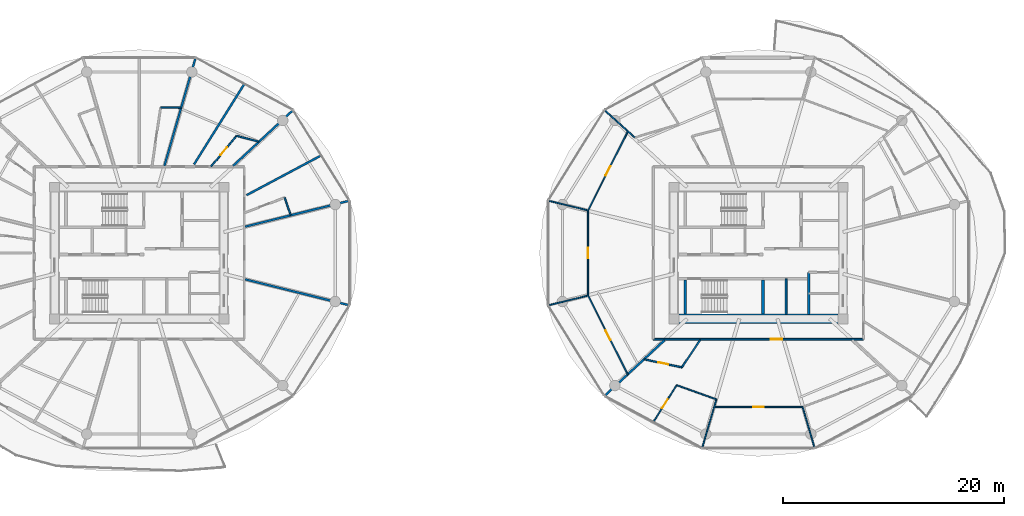
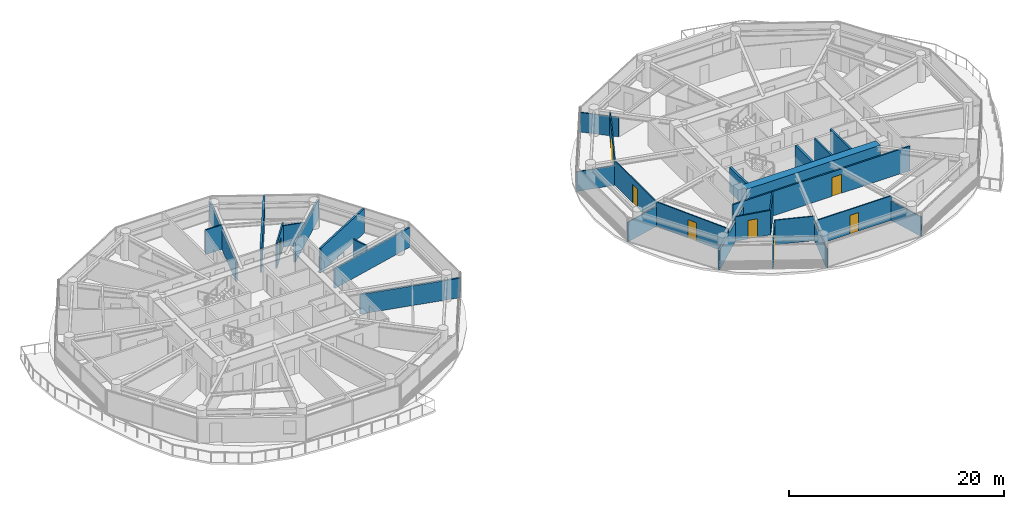
# One storey, part 19 of 28: 30 walls, 8 doors, 8 openings.
"""IFC4 building model written with IfcOpenShell, lengths in metres."""

from ifc_helpers import new_model, si_unit, direction, frame, frame_2d, origin, place, context, subcontext, project, spatial, rectangle, extrude, source, transform, mapped, material, layer, layer_set, type_object, type_shapes, element, fill, save


model = new_model("IFC4")

# Units and contexts
model_context = context("Model", 3, precision=1e-05, world=origin(), true_north=direction((0.0, 1.0)))
body_context = subcontext(model_context, "Body", "Model", "MODEL_VIEW")
ifc_project = project(units=[si_unit("LENGTHUNIT", "METRE"), si_unit("AREAUNIT", "SQUARE_METRE"), si_unit("VOLUMEUNIT", "CUBIC_METRE"), si_unit("PLANEANGLEUNIT", "RADIAN"), si_unit("MASSUNIT", "GRAM", prefix="KILO")], contexts=[model_context])

# Site, building, storey
site_placement = place(None, origin())
site = spatial("IfcSite", under=ifc_project, at=site_placement, CompositionType="ELEMENT")
building_placement = place(site_placement, origin())
building = spatial("IfcBuilding", under=site, at=building_placement, Name="Norrkilde Senior Care Towers", CompositionType="ELEMENT")
storey_placement = place(building_placement, frame((0.0, 0.0, 39.89990234375)))
storey = spatial("IfcBuildingStorey", under=building, at=storey_placement, Name="L11", CompositionType="ELEMENT", Elevation=39.89990234375)

# Walls
ifc_material_1 = material(Name="Concrete C60/75", Category="concrete")
ifc_layer_1 = layer(ifc_material_1, 0.85009765625)
ifc_layer_set_1 = layer_set([ifc_layer_1], Name="Concrete C60/75")
wall_type_1 = type_object("IfcWallType", Name="Core Shear Wall Z1 850", PredefinedType="SHEAR", material=ifc_layer_set_1)
shared_shape_1 = source(origin(), body_context, "Body", "SweptSolid", [
    extrude(rectangle(XDim=14.39990234375, YDim=0.85009765625, at=frame_2d((7.199951171875, 0.0))), origin(), (0.0, 0.0, 1.0), 2.7900390625),
])
type_shapes(wall_type_1, [shared_shape_1])
wall_1_placement = place(storey_placement, frame((35.199951171875, -5.949951171875, 0.0), z_axis=(0.0, 0.0, 1.0), x_axis=(-1.0, 0.0, 0.0)))
element("IfcWall", 1, at=wall_1_placement, inside=storey, type_object=wall_type_1, Name="L11 Core E South Shear Wall", PredefinedType="SHEAR", context=body_context, shape_type="MappedRepresentation", body=[
    mapped(shared_shape_1, transform((0.0, 0.0, 0.0), x_axis=(1.0, 0.0, 0.0), y_axis=(0.0, 1.0, 0.0), z_axis=(0.0, 0.0, 1.0), scale=1.0)),
])
ifc_material_2 = material(Name="Concrete C45/55", Category="concrete")
ifc_layer_2 = layer(ifc_material_2, 0.239990234375)
ifc_layer_set_2 = layer_set([ifc_layer_2], Name="Concrete C45/55")
wall_type_2 = type_object("IfcWallType", Name="Shaft and Stair Enclosure Wall 240", PredefinedType="PARTITIONING", material=ifc_layer_set_2)
shared_shape_2 = source(origin(), body_context, "Body", "SweptSolid", [
    extrude(rectangle(XDim=3.074951171875, YDim=0.239990234375, at=frame_2d((1.53759765625, 0.0))), origin(), (0.0, 0.0, 1.0), 2.7900390625),
])
type_shapes(wall_type_2, [shared_shape_2])
for number, where, z_axis, x_axis, name in (
    (2, (21.3798828125, -5.52490234375, 0.0), (0.0, 0.0, 1.0), (0.0, 1.0, 0.0), "WL-INT-L11-E-ST2W"),
    (3, (28.419921875, -5.52490234375, 0.0), (0.0, 0.0, 1.0), (0.0, 1.0, 0.0), "WL-INT-L11-E-ST2E"),
):
    element("IfcWall", number, at=place(storey_placement, frame(where, z_axis=z_axis, x_axis=x_axis)), inside=storey, type_object=wall_type_2, Name=name, PredefinedType="PARTITIONING", context=body_context, shape_type="MappedRepresentation", body=[
        mapped(shared_shape_2, transform((0.0, 0.0, 0.0), x_axis=(1.0, 0.0, 0.0), y_axis=(0.0, 1.0, 0.0), z_axis=(0.0, 0.0, 1.0), scale=1.0)),
    ])
ifc_layer_3 = layer(ifc_material_2, 0.199951171875)
ifc_layer_set_3 = layer_set([ifc_layer_3], Name="Concrete C45/55")
wall_type_3 = type_object("IfcWallType", Name="Shaft Division and Plant Partition 200", PredefinedType="PARTITIONING", material=ifc_layer_set_3)
shared_shape_3 = source(origin(), body_context, "Body", "SweptSolid", [
    extrude(rectangle(XDim=3.800048828125, YDim=0.199951171875, at=frame_2d((1.89990234375, 0.0))), origin(), (0.0, 0.0, 1.0), 2.775146484375),
])
type_shapes(wall_type_3, [shared_shape_3])
wall_2_placement = place(storey_placement, frame((32.550048828125, -5.550048828125, 0.0), z_axis=(0.0, 0.0, 1.0), x_axis=(0.0, 1.0, 0.0)))
element("IfcWall", 4, at=wall_2_placement, inside=storey, type_object=wall_type_3, Name="WL-INT-L11-E-PKBE", PredefinedType="PARTITIONING", context=body_context, shape_type="MappedRepresentation", body=[
    mapped(shared_shape_3, transform((0.0, 0.0, 0.0), x_axis=(1.0, 0.0, 0.0), y_axis=(0.0, 1.0, 0.0), z_axis=(0.0, 0.0, 1.0), scale=1.0)),
])
ifc_layer_4 = layer(ifc_material_2, 0.179931640625)
ifc_layer_set_4 = layer_set([ifc_layer_4], Name="Concrete C45/55")
wall_type_4 = type_object("IfcWallType", Name="Hoistway Division Rated Partition 180", PredefinedType="PARTITIONING", material=ifc_layer_set_4)
shared_shape_4 = source(origin(), body_context, "Body", "SweptSolid", [
    extrude(rectangle(XDim=3.219970703125, YDim=0.179931640625, at=frame_2d((1.60986328125, 0.0))), origin(), (0.0, 0.0, 1.0), 2.775146484375),
])
type_shapes(wall_type_4, [shared_shape_4])
wall_3_placement = place(storey_placement, frame((30.5, -5.550048828125, 0.0), z_axis=(0.0, 0.0, 1.0), x_axis=(0.0, 1.0, 0.0)))
element("IfcWall", 5, at=wall_3_placement, inside=storey, type_object=wall_type_4, Name="WL-INT-L11-E-PL34", PredefinedType="PARTITIONING", context=body_context, shape_type="MappedRepresentation", body=[
    mapped(shared_shape_4, transform((0.0, 0.0, 0.0), x_axis=(1.0, 0.0, 0.0), y_axis=(0.0, 1.0, 0.0), z_axis=(0.0, 0.0, 1.0), scale=1.0)),
])

# Wall, opening, door
ifc_material_3 = material(Name="Gypsum Acoustic Board")
ifc_layer_5 = layer(ifc_material_3, 0.1650390625)
ifc_layer_set_5 = layer_set([ifc_layer_5], Name="Gypsum Acoustic Board")
wall_type_5 = type_object("IfcWallType", Name="Corridor Rated Partition 165", PredefinedType="PARTITIONING", material=ifc_layer_set_5)
shared_shape_5 = source(origin(), body_context, "Body", "SweptSolid", [
    extrude(rectangle(XDim=19.0, YDim=0.1650390625, at=frame_2d((9.5, 0.0))), origin(), (0.0, 0.0, 1.0), 2.775146484375),
])
type_shapes(wall_type_5, [shared_shape_5])
wall_4_placement = place(storey_placement, frame((37.5, -7.800048828125, 0.0), z_axis=(0.0, 0.0, 1.0), x_axis=(-1.0, 0.0, 0.0)))
wall_4 = element("IfcWall", 6, at=wall_4_placement, inside=storey, type_object=wall_type_5, Name="WL-INT-L11-E-CRW-S-0", PredefinedType="PARTITIONING", context=body_context, shape_type="MappedRepresentation", body=[
    mapped(shared_shape_5, transform((0.0, 0.0, 0.0), x_axis=(1.0, 0.0, 0.0), y_axis=(0.0, 1.0, 0.0), z_axis=(0.0, 0.0, 1.0), scale=1.0)),
])
opening_1_placement = place(wall_4_placement, frame((7.33642578125, 0.0, 0.0)))
opening_1 = element("IfcOpeningElement", 7, at=opening_1_placement, cuts=wall_4, Name="Opening D-06", PredefinedType="OPENING", context=body_context, shape_type="SweptSolid", body=[
    extrude(rectangle(XDim=1.050048828125, YDim=2.14990234375, at=frame_2d((0.52490234375, 1.074951171875))), frame((0.0, 0.092529296875, 0.0), z_axis=(0.0, -1.0, 0.0), x_axis=(1.0, 0.0, 0.0)), (0.0, 0.0, 1.0), 0.18505859375),
])
ifc_material_4 = material(Name="Nordic Ash Timber", Category="wood")
door_type_1 = type_object("IfcDoorType", Name="Apartment Entrance Fire Door 1050x2150", OperationType="NOTDEFINED", PredefinedType="DOOR", material=ifc_material_4)
shared_shape_6 = source(origin(), body_context, "Body", "SweptSolid", [
    extrude(rectangle(XDim=1.050048828125, YDim=2.14990234375, at=frame_2d((0.52490234375, 1.074951171875))), frame((0.0, 0.02490234375, 0.0), z_axis=(0.0, -1.0, 0.0), x_axis=(1.0, 0.0, 0.0)), (0.0, 0.0, 1.0), 0.050048828125),
])
type_shapes(door_type_1, [shared_shape_6])
door_1_placement = place(opening_1_placement, frame((1.050048828125, 0.0, 0.0), z_axis=(0.0, 0.0, 1.0), x_axis=(-1.0, 0.0, 0.0)))
door_1 = element("IfcDoor", 8, at=door_1_placement, inside=storey, type_object=door_type_1, Name="Apartment 11B Entrance Door", OperationType="SINGLE_SWING_RIGHT", OverallHeight=2.14990234375, OverallWidth=1.050048828125, PredefinedType="DOOR", context=body_context, shape_type="MappedRepresentation", body=[
    mapped(shared_shape_6, transform((0.0, 0.0, 0.0), x_axis=(1.0, 0.0, 0.0), y_axis=(0.0, 1.0, 0.0), z_axis=(0.0, 0.0, 1.0), scale=1.0)),
])
fill(opening_1, door_1)

# Walls
ifc_layer_6 = layer(ifc_material_3, 0.18994140625)
ifc_layer_set_6 = layer_set([ifc_layer_6], Name="Gypsum Acoustic Board")
wall_type_6 = type_object("IfcWallType", Name="Unit Demising Acoustic Wall 190", PredefinedType="PARTITIONING", material=ifc_layer_set_6)
shared_shape_7 = source(origin(), body_context, "Body", "SweptSolid", [
    extrude(rectangle(XDim=7.4345703125, YDim=0.18994140625, at=frame_2d((3.71728515625, 0.0))), origin(), (0.0, 0.0, 1.0), 2.22509765625),
])
for number, where, z_axis, x_axis, name in (
    (9, (-19.51708984375, 7.8798828125, 0.0), (0.0, 0.0, 1.0), (0.732651956848, 0.680603489652, 0.0), "WL-INT-L11-W-DEM-01-0"),
    (10, (19.51708984375, -7.8798828125, 0.0), (0.0, 0.0, 1.0), (-0.732651956848, -0.680603489652, 0.0), "WL-INT-L11-E-DEM-07-0"),
):
    element("IfcWall", number, at=place(storey_placement, frame(where, z_axis=z_axis, x_axis=x_axis)), inside=storey, type_object=wall_type_6, Name=name, PredefinedType="PARTITIONING", context=body_context, shape_type="MappedRepresentation", body=[
        mapped(shared_shape_7, transform((0.0, 0.0, 0.0), x_axis=(1.0, 0.0, 0.0), y_axis=(0.0, 1.0, 0.0), z_axis=(0.0, 0.0, 1.0), scale=1.0)),
    ])
shared_shape_8 = source(origin(), body_context, "Body", "SweptSolid", [
    extrude(rectangle(XDim=10.196044921875, YDim=0.18994140625, at=frame_2d((5.09814453125, 0.0))), origin(), (0.0, 0.0, 1.0), 2.22509765625),
])
wall_5_placement = place(storey_placement, frame((-25.72705078125, 7.8798828125, 0.0), z_axis=(0.0, 0.0, 1.0), x_axis=(0.277136420347, 0.960830580549, 0.0)))
element("IfcWall", 11, at=wall_5_placement, inside=storey, type_object=wall_type_6, Name="WL-INT-L11-W-DEM-02-0", PredefinedType="PARTITIONING", context=body_context, shape_type="MappedRepresentation", body=[
    mapped(shared_shape_8, transform((0.0, 0.0, 0.0), x_axis=(1.0, 0.0, 0.0), y_axis=(0.0, 1.0, 0.0), z_axis=(0.0, 0.0, 1.0), scale=1.0)),
])
shared_shape_9 = source(origin(), body_context, "Body", "SweptSolid", [
    extrude(rectangle(XDim=8.59814453125, YDim=0.18994140625, at=frame_2d((4.299072265625, 0.0))), origin(), (0.0, 0.0, 1.0), 2.775146484375),
])
wall_6_placement = place(storey_placement, frame((-23.04296875, 8.017333984375, 0.0), z_axis=(0.0, 0.0, 1.0), x_axis=(0.530039776395, 0.847972779893, 0.0)))
element("IfcWall", 12, at=wall_6_placement, inside=storey, type_object=wall_type_6, Name="WL-INT-L11-W-CMID-01", PredefinedType="PARTITIONING", context=body_context, shape_type="MappedRepresentation", body=[
    mapped(shared_shape_9, transform((0.0, 0.0, 0.0), x_axis=(1.0, 0.0, 0.0), y_axis=(0.0, 1.0, 0.0), z_axis=(0.0, 0.0, 1.0), scale=1.0)),
])

# Wall, opening, door
ifc_layer_7 = layer(ifc_material_3, 0.139892578125)
ifc_layer_set_7 = layer_set([ifc_layer_7], Name="Gypsum Acoustic Board")
wall_type_7 = type_object("IfcWallType", Name="En-suite Wet Room Wall 140", PredefinedType="PARTITIONING", material=ifc_layer_set_7)
shared_shape_10 = source(origin(), body_context, "Body", "SweptSolid", [
    extrude(rectangle(XDim=3.594482421875, YDim=0.139892578125, at=frame_2d((1.79736328125, 0.0))), origin(), (0.0, 0.0, 1.0), 2.775146484375),
])
wall_7_placement = place(storey_placement, frame((-21.49560546875, 7.830078125, 0.0), z_axis=(0.0, 0.0, 1.0), x_axis=(0.639001147083, 0.769205781326, 0.0)))
wall_7 = element("IfcWall", 13, at=wall_7_placement, inside=storey, type_object=wall_type_7, Name="WL-INT-L11-W-ES-01A", PredefinedType="PARTITIONING", context=body_context, shape_type="MappedRepresentation", body=[
    mapped(shared_shape_10, transform((0.0, 0.0, 0.0), x_axis=(1.0, 0.0, 0.0), y_axis=(0.0, 1.0, 0.0), z_axis=(0.0, 0.0, 1.0), scale=1.0)),
])
opening_2_placement = place(wall_7_placement, frame((1.33740234375, 0.0, 0.0)))
opening_2 = element("IfcOpeningElement", 14, at=opening_2_placement, cuts=wall_7, Name="Opening D-08", PredefinedType="OPENING", context=body_context, shape_type="SweptSolid", body=[
    extrude(rectangle(XDim=0.919921875, YDim=2.10009765625, at=frame_2d((0.4599609375, 1.050048828125))), frame((0.0, 0.079833984375, 0.0), z_axis=(0.0, -1.0, 0.0), x_axis=(1.0, 0.0, 0.0)), (0.0, 0.0, 1.0), 0.159912109375),
])
door_type_2 = type_object("IfcDoorType", Name="Accessible Wet Room Door 920x2100", OperationType="NOTDEFINED", PredefinedType="DOOR", material=ifc_material_4)
shared_shape_11 = source(origin(), body_context, "Body", "SweptSolid", [
    extrude(rectangle(XDim=0.919921875, YDim=2.10009765625, at=frame_2d((0.4599609375, 1.050048828125))), frame((0.0, 0.02490234375, 0.0), z_axis=(0.0, -1.0, 0.0), x_axis=(1.0, 0.0, 0.0)), (0.0, 0.0, 1.0), 0.050048828125),
])
type_shapes(door_type_2, [shared_shape_11])
door_2_placement = place(opening_2_placement, origin())
door_2 = element("IfcDoor", 15, at=door_2_placement, inside=storey, type_object=door_type_2, Name="L11 Care Suite 1101A Bathroom Door", OperationType="SINGLE_SWING_RIGHT", OverallHeight=2.10009765625, OverallWidth=0.919921875, PredefinedType="DOOR", context=body_context, shape_type="MappedRepresentation", body=[
    mapped(shared_shape_11, transform((0.0, 0.0, 0.0), x_axis=(1.0, 0.0, 0.0), y_axis=(0.0, 1.0, 0.0), z_axis=(0.0, 0.0, 1.0), scale=1.0)),
])
fill(opening_2, door_2)

# Walls
shared_shape_12 = source(origin(), body_context, "Body", "SweptSolid", [
    extrude(rectangle(XDim=2.06201171875, YDim=0.139892578125, at=frame_2d((1.031005859375, 0.0))), origin(), (0.0, 0.0, 1.0), 2.4150390625),
])
wall_8_placement = place(storey_placement, frame((-19.19873046875, 10.594970703125, 0.0), z_axis=(0.0, 0.0, 1.0), x_axis=(0.968776253543, -0.247936626121, 0.0)))
element("IfcWall", 16, at=wall_8_placement, inside=storey, type_object=wall_type_7, Name="WL-INT-L11-W-EF-01A", PredefinedType="PARTITIONING", context=body_context, shape_type="MappedRepresentation", body=[
    mapped(shared_shape_12, transform((0.0, 0.0, 0.0), x_axis=(1.0, 0.0, 0.0), y_axis=(0.0, 1.0, 0.0), z_axis=(0.0, 0.0, 1.0), scale=1.0)),
])
shared_shape_13 = source(origin(), body_context, "Body", "SweptSolid", [
    extrude(rectangle(XDim=9.737060546875, YDim=0.18994140625, at=frame_2d((4.86865234375, 0.0))), origin(), (0.0, 0.0, 1.0), 2.22509765625),
])
for number, where, z_axis, x_axis, name in (
    (17, (-18.419921875, -2.384521484375, 0.0), (0.0, 0.0, 1.0), (0.970392716238, -0.241532557375, 0.0), "WL-INT-L11-W-DEM-11-0"),
    (18, (-18.419921875, 2.384521484375, 0.0), (0.0, 0.0, 1.0), (0.970392716238, 0.241532557375, 0.0), "WL-INT-L11-W-DEM-00-0"),
):
    element("IfcWall", number, at=place(storey_placement, frame(where, z_axis=z_axis, x_axis=x_axis)), inside=storey, type_object=wall_type_6, Name=name, PredefinedType="PARTITIONING", context=body_context, shape_type="MappedRepresentation", body=[
        mapped(shared_shape_13, transform((0.0, 0.0, 0.0), x_axis=(1.0, 0.0, 0.0), y_axis=(0.0, 1.0, 0.0), z_axis=(0.0, 0.0, 1.0), scale=1.0)),
    ])
shared_shape_14 = source(origin(), body_context, "Body", "SweptSolid", [
    extrude(rectangle(XDim=7.6767578125, YDim=0.18994140625, at=frame_2d((3.83837890625, 0.0))), origin(), (0.0, 0.0, 1.0), 2.775146484375),
])
type_shapes(wall_type_6, [shared_shape_7, shared_shape_8, shared_shape_9, shared_shape_13, shared_shape_14])
wall_9_placement = place(storey_placement, frame((-18.296875, 5.23095703125, 0.0), z_axis=(0.0, 0.0, 1.0), x_axis=(0.882725057546, 0.469889851753, 0.0)))
element("IfcWall", 19, at=wall_9_placement, inside=storey, type_object=wall_type_6, Name="WL-INT-L11-W-CMID-00", PredefinedType="PARTITIONING", context=body_context, shape_type="MappedRepresentation", body=[
    mapped(shared_shape_14, transform((0.0, 0.0, 0.0), x_axis=(1.0, 0.0, 0.0), y_axis=(0.0, 1.0, 0.0), z_axis=(0.0, 0.0, 1.0), scale=1.0)),
])
shared_shape_15 = source(origin(), body_context, "Body", "SweptSolid", [
    extrude(rectangle(XDim=1.67578125, YDim=0.139892578125, at=frame_2d((0.837890625, 0.0))), origin(), (0.0, 0.0, 1.0), 2.775146484375),
])
wall_10_placement = place(storey_placement, frame((-14.849853515625, 5.010986328125, 0.0), z_axis=(0.0, 0.0, 1.0), x_axis=(0.327785970556, -0.944752008469, 0.0)))
element("IfcWall", 20, at=wall_10_placement, inside=storey, type_object=wall_type_7, Name="WL-INT-L11-W-EF-00A", PredefinedType="PARTITIONING", context=body_context, shape_type="MappedRepresentation", body=[
    mapped(shared_shape_15, transform((0.0, 0.0, 0.0), x_axis=(1.0, 0.0, 0.0), y_axis=(0.0, 1.0, 0.0), z_axis=(0.0, 0.0, 1.0), scale=1.0)),
])

# Wall, opening, door
ifc_layer_8 = layer(ifc_material_3, 0.114990234375)
ifc_layer_set_8 = layer_set([ifc_layer_8], Name="Gypsum Acoustic Board")
wall_type_8 = type_object("IfcWallType", Name="Internal Room Partition 115", PredefinedType="PARTITIONING", material=ifc_layer_set_8)
shared_shape_16 = source(origin(), body_context, "Body", "SweptSolid", [
    extrude(rectangle(XDim=7.99267578125, YDim=0.114990234375, at=frame_2d((3.996337890625, 0.0))), origin(), (0.0, 0.0, 1.0), 2.775146484375),
])
wall_11_placement = place(storey_placement, frame((24.003662109375, -13.927001953125, 0.0), z_axis=(0.0, 0.0, 1.0), x_axis=(1.0, 0.0, 0.0)))
wall_11 = element("IfcWall", 21, at=wall_11_placement, inside=storey, type_object=wall_type_8, Name="WL-INT-L11-E-UBC-07-1", PredefinedType="PARTITIONING", context=body_context, shape_type="MappedRepresentation", body=[
    mapped(shared_shape_16, transform((0.0, 0.0, 0.0), x_axis=(1.0, 0.0, 0.0), y_axis=(0.0, 1.0, 0.0), z_axis=(0.0, 0.0, 1.0), scale=1.0)),
])
opening_3_placement = place(wall_11_placement, frame((3.521484375, 0.0, 0.0)))
opening_3 = element("IfcOpeningElement", 22, at=opening_3_placement, cuts=wall_11, Name="Opening D-07", PredefinedType="OPENING", context=body_context, shape_type="SweptSolid", body=[
    extrude(rectangle(XDim=0.949951171875, YDim=2.10009765625, at=frame_2d((0.47509765625, 1.050048828125))), frame((0.0, 0.0673828125, 0.0), z_axis=(0.0, -1.0, 0.0), x_axis=(1.0, 0.0, 0.0)), (0.0, 0.0, 1.0), 0.135009765625),
])
door_type_3 = type_object("IfcDoorType", Name="Internal Suite Bedroom Door 950x2100", OperationType="NOTDEFINED", PredefinedType="DOOR", material=ifc_material_4)
shared_shape_17 = source(origin(), body_context, "Body", "SweptSolid", [
    extrude(rectangle(XDim=0.949951171875, YDim=2.10009765625, at=frame_2d((0.47509765625, 1.050048828125))), frame((0.0, 0.02490234375, 0.0), z_axis=(0.0, -1.0, 0.0), x_axis=(1.0, 0.0, 0.0)), (0.0, 0.0, 1.0), 0.050048828125),
])
type_shapes(door_type_3, [shared_shape_17])
door_3_placement = place(opening_3_placement, origin())
door_3 = element("IfcDoor", 23, at=door_3_placement, inside=storey, type_object=door_type_3, Name="Apartment 11B Bedroom 1 Door", OperationType="SINGLE_SWING_LEFT", OverallHeight=2.10009765625, OverallWidth=0.949951171875, PredefinedType="DOOR", context=body_context, shape_type="MappedRepresentation", body=[
    mapped(shared_shape_17, transform((0.0, 0.0, 0.0), x_axis=(1.0, 0.0, 0.0), y_axis=(0.0, 1.0, 0.0), z_axis=(0.0, 0.0, 1.0), scale=1.0)),
])
fill(opening_3, door_3)

# Wall
shared_shape_18 = source(origin(), body_context, "Body", "SweptSolid", [
    extrude(rectangle(XDim=3.025146484375, YDim=0.139892578125, at=frame_2d((1.5126953125, 0.0))), origin(), (0.0, 0.0, 1.0), 2.775146484375),
])
wall_12_placement = place(storey_placement, frame((22.76025390625, -7.830078125, 0.0), z_axis=(0.0, 0.0, 1.0), x_axis=(-0.556189165904, -0.831055721195, 0.0)))
element("IfcWall", 24, at=wall_12_placement, inside=storey, type_object=wall_type_7, Name="WL-INT-L11-E-UBTS-07", PredefinedType="PARTITIONING", context=body_context, shape_type="MappedRepresentation", body=[
    mapped(shared_shape_18, transform((0.0, 0.0, 0.0), x_axis=(1.0, 0.0, 0.0), y_axis=(0.0, 1.0, 0.0), z_axis=(0.0, 0.0, 1.0), scale=1.0)),
])

# Wall, opening, door
shared_shape_19 = source(origin(), body_context, "Body", "SweptSolid", [
    extrude(rectangle(XDim=3.458984375, YDim=0.139892578125, at=frame_2d((1.7294921875, 0.0))), origin(), (0.0, 0.0, 1.0), 2.775146484375),
])
wall_13_placement = place(storey_placement, frame((21.07763671875, -10.34423828125, 0.0), z_axis=(0.0, 0.0, 1.0), x_axis=(-0.978006468578, 0.208574560815, 0.0)))
wall_13 = element("IfcWall", 25, at=wall_13_placement, inside=storey, type_object=wall_type_7, Name="WL-INT-L11-E-UBTF-07", PredefinedType="PARTITIONING", context=body_context, shape_type="MappedRepresentation", body=[
    mapped(shared_shape_19, transform((0.0, 0.0, 0.0), x_axis=(1.0, 0.0, 0.0), y_axis=(0.0, 1.0, 0.0), z_axis=(0.0, 0.0, 1.0), scale=1.0)),
])
opening_4_placement = place(wall_13_placement, frame((1.26953125, 0.0, 0.0)))
opening_4 = element("IfcOpeningElement", 26, at=opening_4_placement, cuts=wall_13, Name="Opening D-08", PredefinedType="OPENING", context=body_context, shape_type="SweptSolid", body=[
    extrude(rectangle(XDim=0.919921875, YDim=2.10009765625, at=frame_2d((0.4599609375, 1.050048828125))), frame((0.0, 0.079833984375, 0.0), z_axis=(0.0, -1.0, 0.0), x_axis=(1.0, 0.0, 0.0)), (0.0, 0.0, 1.0), 0.159912109375),
])
door_4_placement = place(opening_4_placement, origin())
door_4 = element("IfcDoor", 27, at=door_4_placement, inside=storey, type_object=door_type_2, Name="Apartment 11B Bathroom Door", OperationType="SINGLE_SWING_LEFT", OverallHeight=2.10009765625, OverallWidth=0.919921875, PredefinedType="DOOR", context=body_context, shape_type="MappedRepresentation", body=[
    mapped(shared_shape_11, transform((0.0, 0.0, 0.0), x_axis=(1.0, 0.0, 0.0), y_axis=(0.0, 1.0, 0.0), z_axis=(0.0, 0.0, 1.0), scale=1.0)),
])
fill(opening_4, door_4)

shared_shape_20 = source(origin(), body_context, "Body", "SweptSolid", [
    extrude(rectangle(XDim=8.017822265625, YDim=0.114990234375, at=frame_2d((4.0087890625, 0.0))), origin(), (0.0, 0.0, 1.0), 2.775146484375),
])
wall_14_placement = place(storey_placement, frame((16.205078125, 11.013916015625, 0.0), z_axis=(0.0, 0.0, 1.0), x_axis=(-0.450134355233, -0.89296084026, 0.0)))
wall_14 = element("IfcWall", 28, at=wall_14_placement, inside=storey, type_object=wall_type_8, Name="WL-INT-L11-E-UBC-03-1", PredefinedType="PARTITIONING", context=body_context, shape_type="MappedRepresentation", body=[
    mapped(shared_shape_20, transform((0.0, 0.0, 0.0), x_axis=(1.0, 0.0, 0.0), y_axis=(0.0, 1.0, 0.0), z_axis=(0.0, 0.0, 1.0), scale=1.0)),
])
opening_5_placement = place(wall_14_placement, frame((3.533935546875, 0.0, 0.0)))
opening_5 = element("IfcOpeningElement", 29, at=opening_5_placement, cuts=wall_14, Name="Opening D-07", PredefinedType="OPENING", context=body_context, shape_type="SweptSolid", body=[
    extrude(rectangle(XDim=0.949951171875, YDim=2.10009765625, at=frame_2d((0.47509765625, 1.050048828125))), frame((0.0, 0.0673828125, 0.0), z_axis=(0.0, -1.0, 0.0), x_axis=(1.0, 0.0, 0.0)), (0.0, 0.0, 1.0), 0.135009765625),
])
door_5_placement = place(opening_5_placement, origin())
door_5 = element("IfcDoor", 30, at=door_5_placement, inside=storey, type_object=door_type_3, Name="Apartment 11A Bedroom 1 Door", OperationType="SINGLE_SWING_LEFT", OverallHeight=2.10009765625, OverallWidth=0.949951171875, PredefinedType="DOOR", context=body_context, shape_type="MappedRepresentation", body=[
    mapped(shared_shape_17, transform((0.0, 0.0, 0.0), x_axis=(1.0, 0.0, 0.0), y_axis=(0.0, 1.0, 0.0), z_axis=(0.0, 0.0, 1.0), scale=1.0)),
])
fill(opening_5, door_5)

wall_15_placement = place(storey_placement, frame((12.595947265625, -3.854248046875, 0.0), z_axis=(0.0, 0.0, 1.0), x_axis=(0.450134355233, -0.89296084026, 0.0)))
wall_15 = element("IfcWall", 31, at=wall_15_placement, inside=storey, type_object=wall_type_8, Name="WL-INT-L11-E-UBC-03-3", PredefinedType="PARTITIONING", context=body_context, shape_type="MappedRepresentation", body=[
    mapped(shared_shape_20, transform((0.0, 0.0, 0.0), x_axis=(1.0, 0.0, 0.0), y_axis=(0.0, 1.0, 0.0), z_axis=(0.0, 0.0, 1.0), scale=1.0)),
])
opening_6_placement = place(wall_15_placement, frame((3.533935546875, 0.0, 0.0)))
opening_6 = element("IfcOpeningElement", 32, at=opening_6_placement, cuts=wall_15, Name="Opening D-07", PredefinedType="OPENING", context=body_context, shape_type="SweptSolid", body=[
    extrude(rectangle(XDim=0.949951171875, YDim=2.10009765625, at=frame_2d((0.47509765625, 1.050048828125))), frame((0.0, 0.0673828125, 0.0), z_axis=(0.0, -1.0, 0.0), x_axis=(1.0, 0.0, 0.0)), (0.0, 0.0, 1.0), 0.135009765625),
])
door_6_placement = place(opening_6_placement, origin())
door_6 = element("IfcDoor", 33, at=door_6_placement, inside=storey, type_object=door_type_3, Name="Apartment 11A Bedroom 3 Door", OperationType="SINGLE_SWING_LEFT", OverallHeight=2.10009765625, OverallWidth=0.949951171875, PredefinedType="DOOR", context=body_context, shape_type="MappedRepresentation", body=[
    mapped(shared_shape_17, transform((0.0, 0.0, 0.0), x_axis=(1.0, 0.0, 0.0), y_axis=(0.0, 1.0, 0.0), z_axis=(0.0, 0.0, 1.0), scale=1.0)),
])
fill(opening_6, door_6)

# Walls
shared_shape_21 = source(origin(), body_context, "Body", "SweptSolid", [
    extrude(rectangle(XDim=4.62451171875, YDim=0.114990234375, at=frame_2d((2.312255859375, 0.0))), origin(), (0.0, 0.0, 1.0), 2.22509765625),
])
wall_16_placement = place(storey_placement, frame((24.201171875, -13.238525390625, 0.0), z_axis=(0.0, 0.0, 1.0), x_axis=(-0.2810742844, -0.959686014616, 0.0)))
element("IfcWall", 34, at=wall_16_placement, inside=storey, type_object=wall_type_8, Name="WL-INT-L11-E-UBR-07-1", PredefinedType="PARTITIONING", context=body_context, shape_type="MappedRepresentation", body=[
    mapped(shared_shape_21, transform((0.0, 0.0, 0.0), x_axis=(1.0, 0.0, 0.0), y_axis=(0.0, 1.0, 0.0), z_axis=(0.0, 0.0, 1.0), scale=1.0)),
])
shared_shape_22 = source(origin(), body_context, "Body", "SweptSolid", [
    extrude(rectangle(XDim=3.90478515625, YDim=0.114990234375, at=frame_2d((1.952392578125, 0.0))), origin(), (0.0, 0.0, 1.0), 2.22509765625),
])
wall_17_placement = place(storey_placement, frame((31.997314453125, -13.93017578125, 0.0), z_axis=(0.0, 0.0, 1.0), x_axis=(0.282037692958, -0.959403324859, 0.0)))
element("IfcWall", 35, at=wall_17_placement, inside=storey, type_object=wall_type_8, Name="WL-INT-L11-E-UBR-07-2", PredefinedType="PARTITIONING", context=body_context, shape_type="MappedRepresentation", body=[
    mapped(shared_shape_22, transform((0.0, 0.0, 0.0), x_axis=(1.0, 0.0, 0.0), y_axis=(0.0, 1.0, 0.0), z_axis=(0.0, 0.0, 1.0), scale=1.0)),
])
shared_shape_23 = source(origin(), body_context, "Body", "SweptSolid", [
    extrude(rectangle(XDim=3.73046875, YDim=0.114990234375, at=frame_2d((1.865234375, 0.0))), origin(), (0.0, 0.0, 1.0), 2.22509765625),
])
wall_18_placement = place(storey_placement, frame((12.595947265625, -3.854248046875, 0.0), z_axis=(0.0, 0.0, 1.0), x_axis=(-0.971644038568, -0.236448434791, 0.0)))
element("IfcWall", 36, at=wall_18_placement, inside=storey, type_object=wall_type_8, Name="WL-INT-L11-E-UBR-03-3", PredefinedType="PARTITIONING", context=body_context, shape_type="MappedRepresentation", body=[
    mapped(shared_shape_23, transform((0.0, 0.0, 0.0), x_axis=(1.0, 0.0, 0.0), y_axis=(0.0, 1.0, 0.0), z_axis=(0.0, 0.0, 1.0), scale=1.0)),
])
shared_shape_24 = source(origin(), body_context, "Body", "SweptSolid", [
    extrude(rectangle(XDim=1.842529296875, YDim=0.139892578125, at=frame_2d((0.92138671875, 0.0))), origin(), (0.0, 0.0, 1.0), 2.775146484375),
])
type_shapes(wall_type_7, [shared_shape_10, shared_shape_12, shared_shape_15, shared_shape_18, shared_shape_19, shared_shape_24])
wall_19_placement = place(storey_placement, frame((-26.072021484375, 13.142822265625, 0.0), z_axis=(0.0, 0.0, 1.0), x_axis=(0.999998937801, -0.001457531246, 0.0)))
element("IfcWall", 37, at=wall_19_placement, inside=storey, type_object=wall_type_7, Name="WL-INT-L11-W-EF-02A", PredefinedType="PARTITIONING", context=body_context, shape_type="MappedRepresentation", body=[
    mapped(shared_shape_24, transform((0.0, 0.0, 0.0), x_axis=(1.0, 0.0, 0.0), y_axis=(0.0, 1.0, 0.0), z_axis=(0.0, 0.0, 1.0), scale=1.0)),
])
shared_shape_25 = source(origin(), body_context, "Body", "SweptSolid", [
    extrude(rectangle(XDim=3.700439453125, YDim=0.114990234375, at=frame_2d((1.85009765625, 0.0))), origin(), (0.0, 0.0, 1.0), 2.22509765625),
])
wall_20_placement = place(storey_placement, frame((16.80810546875, 10.45068359375, 0.0), z_axis=(0.0, 0.0, 1.0), x_axis=(-0.739922161065, 0.672692497033, 0.0)))
element("IfcWall", 38, at=wall_20_placement, inside=storey, type_object=wall_type_8, Name="WL-INT-L11-E-UBR-03-1", PredefinedType="PARTITIONING", context=body_context, shape_type="MappedRepresentation", body=[
    mapped(shared_shape_25, transform((0.0, 0.0, 0.0), x_axis=(1.0, 0.0, 0.0), y_axis=(0.0, 1.0, 0.0), z_axis=(0.0, 0.0, 1.0), scale=1.0)),
])

# Wall, opening, door
shared_shape_26 = source(origin(), body_context, "Body", "SweptSolid", [
    extrude(rectangle(XDim=7.70947265625, YDim=0.114990234375, at=frame_2d((3.854736328125, 0.0))), origin(), (0.0, 0.0, 1.0), 2.775146484375),
])
wall_21_placement = place(storey_placement, frame((12.59375, 3.854736328125, 0.0), z_axis=(0.0, 0.0, 1.0), x_axis=(0.0, -1.0, 0.0)))
wall_21 = element("IfcWall", 39, at=wall_21_placement, inside=storey, type_object=wall_type_8, Name="WL-INT-L11-E-UBC-03-2", PredefinedType="PARTITIONING", context=body_context, shape_type="MappedRepresentation", body=[
    mapped(shared_shape_26, transform((0.0, 0.0, 0.0), x_axis=(1.0, 0.0, 0.0), y_axis=(0.0, 1.0, 0.0), z_axis=(0.0, 0.0, 1.0), scale=1.0)),
])
opening_7_placement = place(wall_21_placement, frame((3.379638671875, 0.0, 0.0)))
opening_7 = element("IfcOpeningElement", 40, at=opening_7_placement, cuts=wall_21, Name="Opening D-07", PredefinedType="OPENING", context=body_context, shape_type="SweptSolid", body=[
    extrude(rectangle(XDim=0.949951171875, YDim=2.10009765625, at=frame_2d((0.47509765625, 1.050048828125))), frame((0.0, 0.0673828125, 0.0), z_axis=(0.0, -1.0, 0.0), x_axis=(1.0, 0.0, 0.0)), (0.0, 0.0, 1.0), 0.135009765625),
])
door_7_placement = place(opening_7_placement, frame((0.949951171875, 0.0, 0.0), z_axis=(0.0, 0.0, 1.0), x_axis=(-1.0, 0.0, 0.0)))
door_7 = element("IfcDoor", 41, at=door_7_placement, inside=storey, type_object=door_type_3, Name="Apartment 11A Bedroom 2 Door", OperationType="SINGLE_SWING_RIGHT", OverallHeight=2.10009765625, OverallWidth=0.949951171875, PredefinedType="DOOR", context=body_context, shape_type="MappedRepresentation", body=[
    mapped(shared_shape_17, transform((0.0, 0.0, 0.0), x_axis=(1.0, 0.0, 0.0), y_axis=(0.0, 1.0, 0.0), z_axis=(0.0, 0.0, 1.0), scale=1.0)),
])
fill(opening_7, door_7)

# Wall
shared_shape_27 = source(origin(), body_context, "Body", "SweptSolid", [
    extrude(rectangle(XDim=3.728271484375, YDim=0.114990234375, at=frame_2d((1.8642578125, 0.0))), origin(), (0.0, 0.0, 1.0), 2.22509765625),
])
wall_22_placement = place(storey_placement, frame((12.59375, 3.854736328125, 0.0), z_axis=(0.0, 0.0, 1.0), x_axis=(-0.971641177968, 0.236460189624, 0.0)))
element("IfcWall", 42, at=wall_22_placement, inside=storey, type_object=wall_type_8, Name="WL-INT-L11-E-UBR-03-2", PredefinedType="PARTITIONING", context=body_context, shape_type="MappedRepresentation", body=[
    mapped(shared_shape_27, transform((0.0, 0.0, 0.0), x_axis=(1.0, 0.0, 0.0), y_axis=(0.0, 1.0, 0.0), z_axis=(0.0, 0.0, 1.0), scale=1.0)),
])

# Wall, opening, door
shared_shape_28 = source(origin(), body_context, "Body", "SweptSolid", [
    extrude(rectangle(XDim=3.974365234375, YDim=0.114990234375, at=frame_2d((1.9873046875, 0.0))), origin(), (0.0, 0.0, 1.0), 2.775146484375),
])
wall_23_placement = place(storey_placement, frame((20.611083984375, -11.9501953125, 0.0), z_axis=(0.0, 0.0, 1.0), x_axis=(-0.534810918023, -0.844971764003, 0.0)))
wall_23 = element("IfcWall", 43, at=wall_23_placement, inside=storey, type_object=wall_type_8, Name="WL-INT-L11-E-UKTS-07", PredefinedType="PARTITIONING", context=body_context, shape_type="MappedRepresentation", body=[
    mapped(shared_shape_28, transform((0.0, 0.0, 0.0), x_axis=(1.0, 0.0, 0.0), y_axis=(0.0, 1.0, 0.0), z_axis=(0.0, 0.0, 1.0), scale=1.0)),
])
opening_8_placement = place(wall_23_placement, frame((1.51220703125, 0.0, 0.0)))
opening_8 = element("IfcOpeningElement", 44, at=opening_8_placement, cuts=wall_23, Name="Opening D-07", PredefinedType="OPENING", context=body_context, shape_type="SweptSolid", body=[
    extrude(rectangle(XDim=0.949951171875, YDim=2.10009765625, at=frame_2d((0.47509765625, 1.050048828125))), frame((0.0, 0.0673828125, 0.0), z_axis=(0.0, -1.0, 0.0), x_axis=(1.0, 0.0, 0.0)), (0.0, 0.0, 1.0), 0.135009765625),
])
door_8_placement = place(opening_8_placement, frame((0.949951171875, 0.0, 0.0), z_axis=(0.0, 0.0, 1.0), x_axis=(-1.0, 0.0, 0.0)))
door_8 = element("IfcDoor", 45, at=door_8_placement, inside=storey, type_object=door_type_3, Name="Apartment 11B Kitchen Door", OperationType="SINGLE_SWING_RIGHT", OverallHeight=2.10009765625, OverallWidth=0.949951171875, PredefinedType="DOOR", context=body_context, shape_type="MappedRepresentation", body=[
    mapped(shared_shape_17, transform((0.0, 0.0, 0.0), x_axis=(1.0, 0.0, 0.0), y_axis=(0.0, 1.0, 0.0), z_axis=(0.0, 0.0, 1.0), scale=1.0)),
])
fill(opening_8, door_8)

# Wall
shared_shape_29 = source(origin(), body_context, "Body", "SweptSolid", [
    extrude(rectangle(XDim=3.814453125, YDim=0.114990234375, at=frame_2d((1.9072265625, 0.0))), origin(), (0.0, 0.0, 1.0), 2.775146484375),
])
type_shapes(wall_type_8, [shared_shape_16, shared_shape_20, shared_shape_21, shared_shape_22, shared_shape_23, shared_shape_25, shared_shape_26, shared_shape_27, shared_shape_28, shared_shape_29])
wall_24_placement = place(storey_placement, frame((20.611083984375, -11.9501953125, 0.0), z_axis=(0.0, 0.0, 1.0), x_axis=(0.940935542004, -0.338585743637, 0.0)))
element("IfcWall", 46, at=wall_24_placement, inside=storey, type_object=wall_type_8, Name="WL-INT-L11-E-UKTF-07", PredefinedType="PARTITIONING", context=body_context, shape_type="MappedRepresentation", body=[
    mapped(shared_shape_29, transform((0.0, 0.0, 0.0), x_axis=(1.0, 0.0, 0.0), y_axis=(0.0, 1.0, 0.0), z_axis=(0.0, 0.0, 1.0), scale=1.0)),
])

save(model, "model.ifc")
